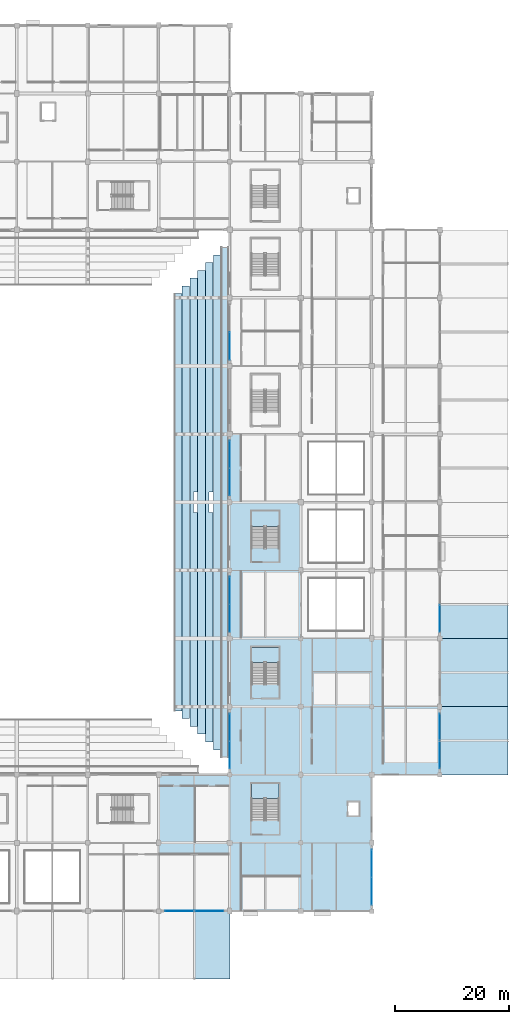
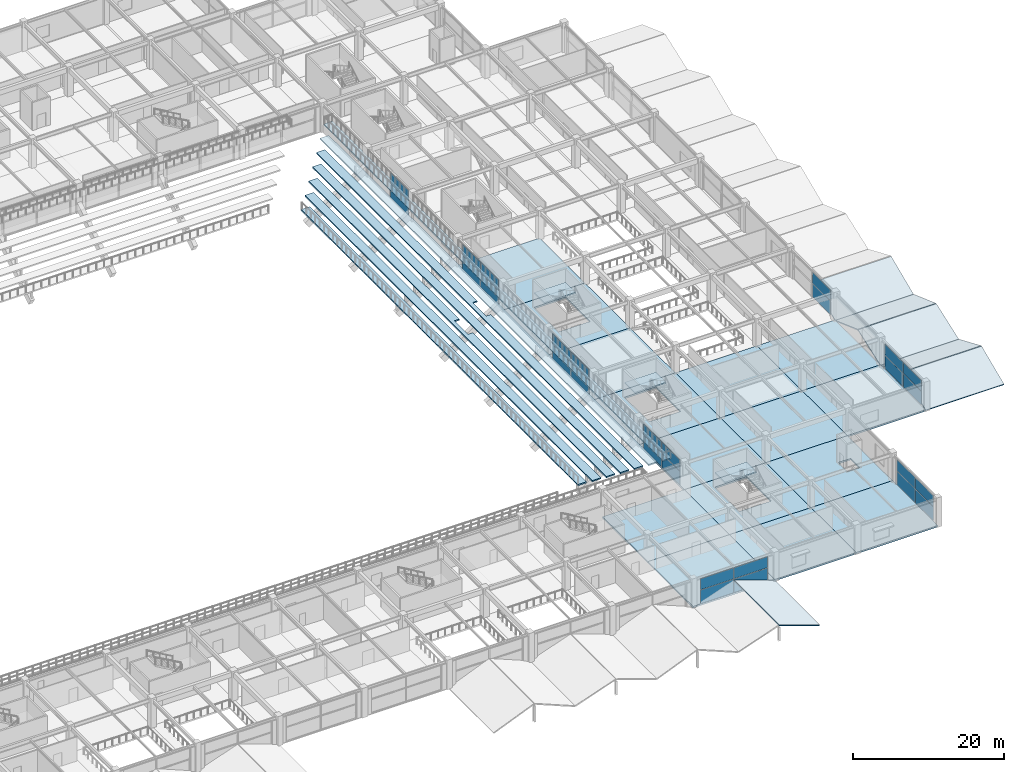
# One storey, part 68 of 134: 31 slabs, 28 plates, 11 elements without a shape of their own.
"""IFC4 building model written with IfcOpenShell, lengths in metres."""

import ifcopenshell
import ifcopenshell.guid

model = None  # the IFC model being written
_history = None  # IfcOwnerHistory: only IFC2X3 demands one
_inside = {}  # id of a spatial element -> (the spatial element, [elements in it])
_under = {}  # id of a project, library or spatial element -> (it, [spatial elements below it])
_declared = {}  # id of a project -> (the project, [libraries it declares])
_typed = {}  # id of a type object -> (the type object, [elements of that type])
_made_of = {}  # id of a material, layer set ... -> (it, [elements and type objects made of it])


def new_model(schema):
    """Start an empty IFC model of exactly this schema.

    Asked for "IFC4X3", IfcOpenShell would pick the latest addendum, in which some entities
    have other attributes; the version numbers below select the first issue.
    IFC2X3 requires an IfcOwnerHistory on every rooted entity: one is made here for all.
    """
    global model, _history
    if schema == "IFC4X3":
        model = ifcopenshell.file(schema_version=(4, 3, 0, 0))
    else:
        model = ifcopenshell.file(schema=schema)
    _inside.clear()
    _under.clear()
    _declared.clear()
    _typed.clear()
    _made_of.clear()
    _history = None
    if model.schema == "IFC2X3":
        org = make("IfcOrganization", Name="unknown")
        user = make(
            "IfcPersonAndOrganization",
            ThePerson=make("IfcPerson", FamilyName="unknown"),
            TheOrganization=org,
        )
        app = make(
            "IfcApplication",
            ApplicationDeveloper=org,
            Version="unknown",
            ApplicationFullName="unknown",
            ApplicationIdentifier="unknown",
        )
        _history = make(
            "IfcOwnerHistory",
            OwningUser=user,
            OwningApplication=app,
            ChangeAction="ADDED",
            CreationDate=0,
        )
    return model


def make(cls, **values):
    """One entity of the class cls with the attributes given. An attribute that is None is left unset."""
    return model.create_entity(
        cls, **{name: value for name, value in values.items() if value is not None}
    )


def rooted(cls, **values):
    """An entity with a GlobalId (a new one), such as an element, a storey or a relation."""
    return make(cls, GlobalId=ifcopenshell.guid.new(), OwnerHistory=_history, **values)


def si_unit(unit_type, name, prefix=None):
    """IfcSIUnit, for example si_unit("LENGTHUNIT", "METRE", prefix="MILLI")."""
    return make("IfcSIUnit", UnitType=unit_type, Prefix=prefix, Name=name)


def assignment(units):
    """IfcUnitAssignment: the units of a project."""
    return None if units is None else make("IfcUnitAssignment", Units=units)


def point(xyz):
    """IfcCartesianPoint."""
    return None if xyz is None else make("IfcCartesianPoint", Coordinates=xyz)


def direction(xyz):
    """IfcDirection."""
    return None if xyz is None else make("IfcDirection", DirectionRatios=xyz)


def frame(location, z_axis=None, x_axis=None):
    """IfcAxis2Placement3D, a coordinate frame: its origin and axes. An axis left out is left unset."""
    return make(
        "IfcAxis2Placement3D",
        Location=point(location),
        Axis=direction(z_axis),
        RefDirection=direction(x_axis),
    )


def frame_2d(location, x_axis=None):
    """IfcAxis2Placement2D, a coordinate frame in the plane: its origin and x axis."""
    return make(
        "IfcAxis2Placement2D", Location=point(location), RefDirection=direction(x_axis)
    )


def origin():
    """The frame at (0, 0, 0) with its axes left unset."""
    return frame((0.0, 0.0, 0.0))


def origin_2d():
    """The frame at (0, 0) in the plane with its x axis left unset."""
    return frame_2d((0.0, 0.0))


def place(relative_to, where):
    """IfcLocalPlacement: puts the frame where relative to a parent placement (None: the world)."""
    return make(
        "IfcLocalPlacement", PlacementRelTo=relative_to, RelativePlacement=where
    )


def context(
    kind, dimensions, precision=None, world=None, true_north=None, identifier=None
):
    """IfcGeometricRepresentationContext, for example the 3D "Model" context."""
    return make(
        "IfcGeometricRepresentationContext",
        ContextIdentifier=identifier,
        ContextType=kind,
        CoordinateSpaceDimension=dimensions,
        Precision=precision,
        WorldCoordinateSystem=world,
        TrueNorth=true_north,
    )


def subcontext(parent, identifier, kind, view, scale=None):
    """IfcGeometricRepresentationSubContext, for example "Body" below "Model"."""
    return make(
        "IfcGeometricRepresentationSubContext",
        ContextIdentifier=identifier,
        ContextType=kind,
        ParentContext=parent,
        TargetScale=scale,
        TargetView=view,
    )


def project(units=None, contexts=None):
    """IfcProject with its units and contexts."""
    return rooted(
        "IfcProject",
        Name="project",
        RepresentationContexts=contexts,
        UnitsInContext=assignment(units),
    )


def spatial(cls, under=None, at=None, **own):
    """A site, building, storey or space (cls), placed at a placement, below another one or the project."""
    s = rooted(cls, ObjectPlacement=at, **own)
    if under is not None:
        _under.setdefault(under.id(), (under, []))[1].append(s)
    return s


def polyline(points):
    """IfcPolyline through the points."""
    return make("IfcPolyline", Points=[point(p) for p in points])


def profile(cls, at=None, kind="AREA", **sizes):
    """A parametric profile (cls). Its sizes go by their IFC names, for example OverallWidth=200.0."""
    return make(cls, ProfileType=kind, Position=at, **sizes)


def rectangle(**sizes):
    """IfcRectangleProfileDef."""
    return profile("IfcRectangleProfileDef", **sizes)


def outline(outer, holes=None, kind="AREA"):
    """IfcArbitraryClosedProfileDef: a profile drawn as a closed curve; with holes, ...WithVoids."""
    if holes is None:
        return make("IfcArbitraryClosedProfileDef", ProfileType=kind, OuterCurve=outer)
    return make(
        "IfcArbitraryProfileDefWithVoids",
        ProfileType=kind,
        OuterCurve=outer,
        InnerCurves=holes,
    )


def extrude(swept, where, along, depth):
    """IfcExtrudedAreaSolid: the profile swept, set in the frame where, extruded along a direction by depth."""
    return make(
        "IfcExtrudedAreaSolid",
        SweptArea=swept,
        Position=where,
        ExtrudedDirection=direction(along),
        Depth=depth,
    )


def shape(context_of_items, identifier, shape_type, items):
    """IfcShapeRepresentation: the items that make up one representation, for example the "Body"."""
    return make(
        "IfcShapeRepresentation",
        ContextOfItems=context_of_items,
        RepresentationIdentifier=identifier,
        RepresentationType=shape_type,
        Items=items,
    )


def material(Name=None, Category=None):
    """IfcMaterial."""
    return make("IfcMaterial", Name=Name, Category=Category)


def layer(
    of_material, thickness, ventilated=None, Name=None, Category=None, Priority=None
):
    """IfcMaterialLayer: one layer of a wall or slab, of a material (None: an air gap)."""
    return make(
        "IfcMaterialLayer",
        Material=of_material,
        LayerThickness=thickness,
        IsVentilated=ventilated,
        Name=Name,
        Category=Category,
        Priority=Priority,
    )


def layer_set(layers, Name=None):
    """IfcMaterialLayerSet."""
    return make("IfcMaterialLayerSet", MaterialLayers=layers, LayerSetName=Name)


def made_of(thing, what):
    """Note that an element or type object is made of a material, layer set ...; save() writes the relation."""
    if what is not None:
        _made_of.setdefault(what.id(), (what, []))[1].append(thing)
    return thing


def type_object(cls, material=None, **own):
    """A type object (cls), such as IfcWallType, which elements share."""
    return made_of(rooted(cls, **own), material)


def element(
    cls,
    number,
    at=None,
    inside=None,
    cuts=None,
    type_object=None,
    material=None,
    context=None,
    identifier="Body",
    shape_type=None,
    held_by="IfcProductDefinitionShape",
    body=None,
    shapes=None,
    **own,
):
    """One element of the class cls, such as IfcWall. Its Tag is "e" and its number.

    at: its placement. inside: the storey or other place that contains it. cuts: it is an
    opening in that element (IfcRelVoidsElement). A single representation is given by context,
    identifier, shape_type and body (its items); several are given by shapes. held_by: the class
    of the entity that holds the representations. save() writes the other relations.
    """
    e = rooted(cls, Tag="e%d" % number, ObjectPlacement=at, **own)
    if body is not None:
        shapes = [shape(context, identifier, shape_type, body)]
    if shapes is not None:
        e.Representation = make(held_by, Representations=shapes)
    if inside is not None:
        _inside.setdefault(inside.id(), (inside, []))[1].append(e)
    if cuts is not None:
        rooted(
            "IfcRelVoidsElement", RelatingBuildingElement=cuts, RelatedOpeningElement=e
        )
    if type_object is not None:
        _typed.setdefault(type_object.id(), (type_object, []))[1].append(e)
    return made_of(e, material)


def aggregate(whole, parts):
    """IfcRelAggregates: a whole, such as a stair, and the parts it consists of."""
    return rooted("IfcRelAggregates", RelatingObject=whole, RelatedObjects=parts)


def save(model, path):
    """Write the relations noted so far, then the file.

    IfcRelAggregates (storeys below a building ...), IfcRelContainedInSpatialStructure (elements
    in a storey), IfcRelDefinesByType, IfcRelAssociatesMaterial and IfcRelDeclares: one each for
    every whole, place, type object, material and project.
    """
    for whole, parts in _under.values():
        aggregate(whole, parts)
    for where, things in _inside.values():
        rooted(
            "IfcRelContainedInSpatialStructure",
            RelatedElements=things,
            RelatingStructure=where,
        )
    for kind, things in _typed.values():
        rooted("IfcRelDefinesByType", RelatedObjects=things, RelatingType=kind)
    for what, things in _made_of.values():
        rooted("IfcRelAssociatesMaterial", RelatedObjects=things, RelatingMaterial=what)
    for by, libraries in _declared.values():
        rooted("IfcRelDeclares", RelatingContext=by, RelatedDefinitions=libraries)
    model.write(path)


model = new_model("IFC4")

# Units and contexts
model_context = context("Model", 3, precision=1e-05, world=origin(), true_north=direction((0.0, 1.0)))
body_context = subcontext(model_context, "Body", "Model", "MODEL_VIEW")
ifc_project = project(units=[si_unit("LENGTHUNIT", "METRE"), si_unit("AREAUNIT", "SQUARE_METRE"), si_unit("VOLUMEUNIT", "CUBIC_METRE"), si_unit("PLANEANGLEUNIT", "RADIAN"), si_unit("MASSUNIT", "GRAM", prefix="KILO")], contexts=[model_context])

# Site, building, storey
site_placement = place(None, origin())
site = spatial("IfcSite", under=ifc_project, at=site_placement, CompositionType="ELEMENT")
building_placement = place(site_placement, origin())
building = spatial("IfcBuilding", under=site, at=building_placement, Name="Kazenohara Klinker Stadium", CompositionType="ELEMENT")
storey_placement = place(building_placement, frame((0.0, 0.0, 5.39990234375)))
storey = spatial("IfcBuildingStorey", under=building, at=storey_placement, Name="L01", CompositionType="ELEMENT", Elevation=5.39990234375)

# Curtain wall, plates
ifc_material_1 = material(Name="Anodised aluminium and triple glazing", Category="aluminium")
ifc_layer_1 = layer(ifc_material_1, 0.159912109375)
ifc_layer_set_1 = layer_set([ifc_layer_1], Name="Anodised aluminium and triple glazing")
curtain_wall_type_1 = type_object("IfcCurtainWallType", Name="CW-SYS-01", PredefinedType="USERDEFINED", material=ifc_layer_set_1)
curtain_wall_1_placement = place(storey_placement, origin())
curtain_wall_1 = element("IfcCurtainWall", 1, at=curtain_wall_1_placement, inside=storey, type_object=curtain_wall_type_1, Name="Unitised facade curtain wall CW01 L01 X13-1", ObjectType="UNITISED CURTAIN WALL", PredefinedType="USERDEFINED")
ifc_material_2 = material(Name="Low-e laminated triple glazing", Category="glass")
ifc_layer_2 = layer(ifc_material_2, 0.035888671875)
ifc_layer_set_2 = layer_set([ifc_layer_2], Name="Low-e laminated triple glazing")
plate_type_1 = type_object("IfcPlateType", Name="CW-PNL-36", PredefinedType="CURTAIN_PANEL", material=ifc_layer_set_2)
plate_1_placement = place(storey_placement, frame((166.168212890625, 12.0, 0.065185546875), z_axis=(0.0, 0.0, 1.0), x_axis=(1.0, 0.0, 0.0)))
plate_1 = element("IfcPlate", 2, at=plate_1_placement, type_object=plate_type_1, Name="CW01 panel 1.1", PredefinedType="CURTAIN_PANEL", context=body_context, shape_type="SweptSolid", body=[
    extrude(rectangle(XDim=5.098388671875, YDim=0.035888671875, at=origin_2d()), origin(), (0.0, 0.0, 1.0), 2.18505859375),
])
plate_2_placement = place(storey_placement, frame((166.168212890625, 12.0, 2.315185546875), z_axis=(0.0, 0.0, 1.0), x_axis=(1.0, 0.0, 0.0)))
plate_2 = element("IfcPlate", 3, at=plate_2_placement, type_object=plate_type_1, Name="CW01 panel 1.2", PredefinedType="CURTAIN_PANEL", context=body_context, shape_type="SweptSolid", body=[
    extrude(rectangle(XDim=5.098388671875, YDim=0.035888671875, at=origin_2d()), origin(), (0.0, 0.0, 1.0), 1.77001953125),
])
plate_3_placement = place(storey_placement, frame((171.331787109375, 12.0, 0.065185546875), z_axis=(0.0, 0.0, 1.0), x_axis=(1.0, 0.0, 0.0)))
plate_3 = element("IfcPlate", 4, at=plate_3_placement, type_object=plate_type_1, Name="CW01 panel 2.1", PredefinedType="CURTAIN_PANEL", context=body_context, shape_type="SweptSolid", body=[
    extrude(rectangle(XDim=5.098388671875, YDim=0.035888671875, at=origin_2d()), origin(), (0.0, 0.0, 1.0), 2.18505859375),
])
plate_4_placement = place(storey_placement, frame((171.331787109375, 12.0, 2.315185546875), z_axis=(0.0, 0.0, 1.0), x_axis=(1.0, 0.0, 0.0)))
plate_4 = element("IfcPlate", 5, at=plate_4_placement, type_object=plate_type_1, Name="CW01 panel 2.2", PredefinedType="CURTAIN_PANEL", context=body_context, shape_type="SweptSolid", body=[
    extrude(rectangle(XDim=5.098388671875, YDim=0.035888671875, at=origin_2d()), origin(), (0.0, 0.0, 1.0), 1.77001953125),
])
aggregate(curtain_wall_1, [plate_1, plate_2, plate_3, plate_4])

ifc_layer_3 = layer(ifc_material_1, 0.18994140625)
ifc_layer_set_3 = layer_set([ifc_layer_3], Name="Anodised aluminium and triple glazing")
curtain_wall_type_2 = type_object("IfcCurtainWallType", Name="CW-SYS-05", PredefinedType="USERDEFINED", material=ifc_layer_set_3)
curtain_wall_2_placement = place(storey_placement, origin())
curtain_wall_2 = element("IfcCurtainWall", 6, at=curtain_wall_2_placement, inside=storey, type_object=curtain_wall_type_2, Name="Unitised facade curtain wall CW05 L01 Y14-5", ObjectType="UNITISED CURTAIN WALL", PredefinedType="USERDEFINED")
plate_5_placement = place(storey_placement, frame((175.0, 63.580810546875, 0.065185546875), z_axis=(0.0, 0.0, 1.0), x_axis=(0.0, 1.0, 0.0)))
plate_5 = element("IfcPlate", 7, at=plate_5_placement, type_object=plate_type_1, Name="CW05 panel 1.1", PredefinedType="CURTAIN_PANEL", context=body_context, shape_type="SweptSolid", body=[
    extrude(rectangle(XDim=4.823486328125, YDim=0.035888671875, at=origin_2d()), origin(), (0.0, 0.0, 1.0), 2.21240234375),
])
plate_6_placement = place(storey_placement, frame((175.0, 63.580810546875, 2.342529296875), z_axis=(0.0, 0.0, 1.0), x_axis=(0.0, 1.0, 0.0)))
plate_6 = element("IfcPlate", 8, at=plate_6_placement, type_object=plate_type_1, Name="CW05 panel 1.2", PredefinedType="CURTAIN_PANEL", context=body_context, shape_type="SweptSolid", body=[
    extrude(rectangle(XDim=4.823486328125, YDim=0.035888671875, at=origin_2d()), origin(), (0.0, 0.0, 1.0), 1.79248046875),
])
plate_7_placement = place(storey_placement, frame((175.0, 68.46923828125, 0.065185546875), z_axis=(0.0, 0.0, 1.0), x_axis=(0.0, 1.0, 0.0)))
plate_7 = element("IfcPlate", 9, at=plate_7_placement, type_object=plate_type_1, Name="CW05 panel 2.1", PredefinedType="CURTAIN_PANEL", context=body_context, shape_type="SweptSolid", body=[
    extrude(rectangle(XDim=4.823486328125, YDim=0.035888671875, at=origin_2d()), origin(), (0.0, 0.0, 1.0), 2.21240234375),
])
plate_8_placement = place(storey_placement, frame((175.0, 68.46923828125, 2.342529296875), z_axis=(0.0, 0.0, 1.0), x_axis=(0.0, 1.0, 0.0)))
plate_8 = element("IfcPlate", 10, at=plate_8_placement, type_object=plate_type_1, Name="CW05 panel 2.2", PredefinedType="CURTAIN_PANEL", context=body_context, shape_type="SweptSolid", body=[
    extrude(rectangle(XDim=4.823486328125, YDim=0.035888671875, at=origin_2d()), origin(), (0.0, 0.0, 1.0), 1.79248046875),
])
aggregate(curtain_wall_2, [plate_5, plate_6, plate_7, plate_8])

ifc_layer_4 = layer(ifc_material_1, 0.179931640625)
ifc_layer_set_4 = layer_set([ifc_layer_4], Name="Anodised aluminium and triple glazing")
curtain_wall_type_3 = type_object("IfcCurtainWallType", Name="CW-SYS-02", PredefinedType="USERDEFINED", material=ifc_layer_set_4)
curtain_wall_3_placement = place(storey_placement, origin())
curtain_wall_3 = element("IfcCurtainWall", 11, at=curtain_wall_3_placement, inside=storey, type_object=curtain_wall_type_3, Name="Unitised facade curtain wall CW02 L01 Y14-9", ObjectType="UNITISED CURTAIN WALL", PredefinedType="USERDEFINED")
plate_9_placement = place(storey_placement, frame((175.0, 111.518310546875, 0.065185546875), z_axis=(0.0, 0.0, 1.0), x_axis=(0.0, 1.0, 0.0)))
plate_9 = element("IfcPlate", 12, at=plate_9_placement, type_object=plate_type_1, Name="CW02 panel 1.1", PredefinedType="CURTAIN_PANEL", context=body_context, shape_type="SweptSolid", body=[
    extrude(rectangle(XDim=4.798583984375, YDim=0.035888671875, at=origin_2d()), origin(), (0.0, 0.0, 1.0), 2.21240234375),
])
plate_10_placement = place(storey_placement, frame((175.0, 111.518310546875, 2.342529296875), z_axis=(0.0, 0.0, 1.0), x_axis=(0.0, 1.0, 0.0)))
plate_10 = element("IfcPlate", 13, at=plate_10_placement, type_object=plate_type_1, Name="CW02 panel 1.2", PredefinedType="CURTAIN_PANEL", context=body_context, shape_type="SweptSolid", body=[
    extrude(rectangle(XDim=4.798583984375, YDim=0.035888671875, at=origin_2d()), origin(), (0.0, 0.0, 1.0), 1.79248046875),
])
aggregate(curtain_wall_3, [plate_9, plate_10])

ifc_layer_5 = layer(ifc_material_1, 0.169921875)
ifc_layer_set_5 = layer_set([ifc_layer_5], Name="Anodised aluminium and triple glazing")
curtain_wall_type_4 = type_object("IfcCurtainWallType", Name="CW-SYS-04", PredefinedType="USERDEFINED", material=ifc_layer_set_5)
curtain_wall_4_placement = place(storey_placement, origin())
curtain_wall_4 = element("IfcCurtainWall", 14, at=curtain_wall_4_placement, inside=storey, type_object=curtain_wall_type_4, Name="Unitised facade curtain wall CW04 L01 Y16-1", ObjectType="UNITISED CURTAIN WALL", PredefinedType="USERDEFINED")
plate_11_placement = place(storey_placement, frame((200.0, 15.518310546875, 0.065185546875), z_axis=(0.0, 0.0, 1.0), x_axis=(0.0, 1.0, 0.0)))
plate_11 = element("IfcPlate", 15, at=plate_11_placement, type_object=plate_type_1, Name="CW04 panel 1.1", PredefinedType="CURTAIN_PANEL", context=body_context, shape_type="SweptSolid", body=[
    extrude(rectangle(XDim=4.798583984375, YDim=0.035888671875, at=origin_2d()), origin(), (0.0, 0.0, 1.0), 2.21240234375),
])
plate_12_placement = place(storey_placement, frame((200.0, 15.518310546875, 2.342529296875), z_axis=(0.0, 0.0, 1.0), x_axis=(0.0, 1.0, 0.0)))
plate_12 = element("IfcPlate", 16, at=plate_12_placement, type_object=plate_type_1, Name="CW04 panel 1.2", PredefinedType="CURTAIN_PANEL", context=body_context, shape_type="SweptSolid", body=[
    extrude(rectangle(XDim=4.798583984375, YDim=0.035888671875, at=origin_2d()), origin(), (0.0, 0.0, 1.0), 1.79248046875),
])
plate_13_placement = place(storey_placement, frame((200.0, 20.3818359375, 0.065185546875), z_axis=(0.0, 0.0, 1.0), x_axis=(0.0, 1.0, 0.0)))
plate_13 = element("IfcPlate", 17, at=plate_13_placement, type_object=plate_type_1, Name="CW04 panel 2.1", PredefinedType="CURTAIN_PANEL", context=body_context, shape_type="SweptSolid", body=[
    extrude(rectangle(XDim=4.798583984375, YDim=0.035888671875, at=origin_2d()), origin(), (0.0, 0.0, 1.0), 2.21240234375),
])
plate_14_placement = place(storey_placement, frame((200.0, 20.3818359375, 2.342529296875), z_axis=(0.0, 0.0, 1.0), x_axis=(0.0, 1.0, 0.0)))
plate_14 = element("IfcPlate", 18, at=plate_14_placement, type_object=plate_type_1, Name="CW04 panel 2.2", PredefinedType="CURTAIN_PANEL", context=body_context, shape_type="SweptSolid", body=[
    extrude(rectangle(XDim=4.798583984375, YDim=0.035888671875, at=origin_2d()), origin(), (0.0, 0.0, 1.0), 1.79248046875),
])
aggregate(curtain_wall_4, [plate_11, plate_12, plate_13, plate_14])

ifc_layer_6 = layer(ifc_material_1, 0.199951171875)
ifc_layer_set_6 = layer_set([ifc_layer_6], Name="Anodised aluminium and triple glazing")
curtain_wall_type_5 = type_object("IfcCurtainWallType", Name="CW-SYS-03", PredefinedType="USERDEFINED", material=ifc_layer_set_6)
curtain_wall_5_placement = place(storey_placement, origin())
curtain_wall_5 = element("IfcCurtainWall", 19, at=curtain_wall_5_placement, inside=storey, type_object=curtain_wall_type_5, Name="Unitised facade curtain wall CW03 L01 Y17-5", ObjectType="UNITISED CURTAIN WALL", PredefinedType="USERDEFINED")
plate_15_placement = place(storey_placement, frame((212.0, 63.580810546875, 0.065185546875), z_axis=(0.0, 0.0, 1.0), x_axis=(0.0, 1.0, 0.0)))
plate_15 = element("IfcPlate", 20, at=plate_15_placement, type_object=plate_type_1, Name="CW03 panel 1.1", PredefinedType="CURTAIN_PANEL", context=body_context, shape_type="SweptSolid", body=[
    extrude(rectangle(XDim=4.823486328125, YDim=0.035888671875, at=origin_2d()), origin(), (0.0, 0.0, 1.0), 2.18505859375),
])
plate_16_placement = place(storey_placement, frame((212.0, 63.580810546875, 2.315185546875), z_axis=(0.0, 0.0, 1.0), x_axis=(0.0, 1.0, 0.0)))
plate_16 = element("IfcPlate", 21, at=plate_16_placement, type_object=plate_type_1, Name="CW03 panel 1.2", PredefinedType="CURTAIN_PANEL", context=body_context, shape_type="SweptSolid", body=[
    extrude(rectangle(XDim=4.823486328125, YDim=0.035888671875, at=origin_2d()), origin(), (0.0, 0.0, 1.0), 1.77001953125),
])
aggregate(curtain_wall_5, [plate_15, plate_16])

curtain_wall_6_placement = place(storey_placement, origin())
curtain_wall_6 = element("IfcCurtainWall", 22, at=curtain_wall_6_placement, inside=storey, type_object=curtain_wall_type_4, Name="Unitised facade curtain wall CW04 L01 Y14-3", ObjectType="UNITISED CURTAIN WALL", PredefinedType="USERDEFINED")
ifc_layer_7 = layer(ifc_material_2, 0.0439453125)
ifc_layer_set_7 = layer_set([ifc_layer_7], Name="Low-e laminated triple glazing")
plate_type_2 = type_object("IfcPlateType", Name="CW-PNL-44", PredefinedType="CURTAIN_PANEL", material=ifc_layer_set_7)
plate_17_placement = place(storey_placement, frame((175.0, 39.520751953125, 0.0751953125), z_axis=(0.0, 0.0, 1.0), x_axis=(0.0, 1.0, 0.0)))
plate_17 = element("IfcPlate", 23, at=plate_17_placement, type_object=plate_type_2, Name="CW04 panel 1.1", PredefinedType="CURTAIN_PANEL", context=body_context, shape_type="SweptSolid", body=[
    extrude(rectangle(XDim=4.783447265625, YDim=0.0439453125, at=origin_2d()), origin(), (0.0, 0.0, 1.0), 2.197509765625),
])
plate_18_placement = place(storey_placement, frame((175.0, 39.520751953125, 2.34765625), z_axis=(0.0, 0.0, 1.0), x_axis=(0.0, 1.0, 0.0)))
plate_18 = element("IfcPlate", 24, at=plate_18_placement, type_object=plate_type_2, Name="CW04 panel 1.2", PredefinedType="CURTAIN_PANEL", context=body_context, shape_type="SweptSolid", body=[
    extrude(rectangle(XDim=4.783447265625, YDim=0.0439453125, at=origin_2d()), origin(), (0.0, 0.0, 1.0), 1.777587890625),
])
plate_19_placement = place(storey_placement, frame((175.0, 44.379150390625, 0.0751953125), z_axis=(0.0, 0.0, 1.0), x_axis=(0.0, 1.0, 0.0)))
plate_19 = element("IfcPlate", 25, at=plate_19_placement, type_object=plate_type_2, Name="CW04 panel 2.1", PredefinedType="CURTAIN_PANEL", context=body_context, shape_type="SweptSolid", body=[
    extrude(rectangle(XDim=4.783447265625, YDim=0.0439453125, at=origin_2d()), origin(), (0.0, 0.0, 1.0), 2.197509765625),
])
plate_20_placement = place(storey_placement, frame((175.0, 44.379150390625, 2.34765625), z_axis=(0.0, 0.0, 1.0), x_axis=(0.0, 1.0, 0.0)))
plate_20 = element("IfcPlate", 26, at=plate_20_placement, type_object=plate_type_2, Name="CW04 panel 2.2", PredefinedType="CURTAIN_PANEL", context=body_context, shape_type="SweptSolid", body=[
    extrude(rectangle(XDim=4.783447265625, YDim=0.0439453125, at=origin_2d()), origin(), (0.0, 0.0, 1.0), 1.777587890625),
])
aggregate(curtain_wall_6, [plate_17, plate_18, plate_19, plate_20])

curtain_wall_7_placement = place(storey_placement, origin())
curtain_wall_7 = element("IfcCurtainWall", 27, at=curtain_wall_7_placement, inside=storey, type_object=curtain_wall_type_1, Name="Unitised facade curtain wall CW01 L01 Y14-7", ObjectType="UNITISED CURTAIN WALL", PredefinedType="USERDEFINED")
plate_21_placement = place(storey_placement, frame((175.0, 87.608154296875, 0.0751953125), z_axis=(0.0, 0.0, 1.0), x_axis=(0.0, 1.0, 0.0)))
plate_21 = element("IfcPlate", 28, at=plate_21_placement, type_object=plate_type_2, Name="CW01 panel 1.1", PredefinedType="CURTAIN_PANEL", context=body_context, shape_type="SweptSolid", body=[
    extrude(rectangle(XDim=4.758544921875, YDim=0.0439453125, at=origin_2d()), origin(), (0.0, 0.0, 1.0), 2.197509765625),
])
plate_22_placement = place(storey_placement, frame((175.0, 87.608154296875, 2.34765625), z_axis=(0.0, 0.0, 1.0), x_axis=(0.0, 1.0, 0.0)))
plate_22 = element("IfcPlate", 29, at=plate_22_placement, type_object=plate_type_2, Name="CW01 panel 1.2", PredefinedType="CURTAIN_PANEL", context=body_context, shape_type="SweptSolid", body=[
    extrude(rectangle(XDim=4.758544921875, YDim=0.0439453125, at=origin_2d()), origin(), (0.0, 0.0, 1.0), 1.777587890625),
])
plate_23_placement = place(storey_placement, frame((175.0, 92.441650390625, 0.0751953125), z_axis=(0.0, 0.0, 1.0), x_axis=(0.0, 1.0, 0.0)))
plate_23 = element("IfcPlate", 30, at=plate_23_placement, type_object=plate_type_2, Name="CW01 panel 2.1", PredefinedType="CURTAIN_PANEL", context=body_context, shape_type="SweptSolid", body=[
    extrude(rectangle(XDim=4.758544921875, YDim=0.0439453125, at=origin_2d()), origin(), (0.0, 0.0, 1.0), 2.197509765625),
])
plate_24_placement = place(storey_placement, frame((175.0, 92.441650390625, 2.34765625), z_axis=(0.0, 0.0, 1.0), x_axis=(0.0, 1.0, 0.0)))
plate_24 = element("IfcPlate", 31, at=plate_24_placement, type_object=plate_type_2, Name="CW01 panel 2.2", PredefinedType="CURTAIN_PANEL", context=body_context, shape_type="SweptSolid", body=[
    extrude(rectangle(XDim=4.758544921875, YDim=0.0439453125, at=origin_2d()), origin(), (0.0, 0.0, 1.0), 1.777587890625),
])
aggregate(curtain_wall_7, [plate_21, plate_22, plate_23, plate_24])

curtain_wall_8_placement = place(storey_placement, origin())
curtain_wall_8 = element("IfcCurtainWall", 32, at=curtain_wall_8_placement, inside=storey, type_object=curtain_wall_type_3, Name="Unitised facade curtain wall CW02 L01 Y17-3", ObjectType="UNITISED CURTAIN WALL", PredefinedType="USERDEFINED")
plate_25_placement = place(storey_placement, frame((212.0, 39.520751953125, 0.0751953125), z_axis=(0.0, 0.0, 1.0), x_axis=(0.0, 1.0, 0.0)))
plate_25 = element("IfcPlate", 33, at=plate_25_placement, type_object=plate_type_2, Name="CW02 panel 1.1", PredefinedType="CURTAIN_PANEL", context=body_context, shape_type="SweptSolid", body=[
    extrude(rectangle(XDim=4.783447265625, YDim=0.0439453125, at=origin_2d()), origin(), (0.0, 0.0, 1.0), 2.169921875),
])
plate_26_placement = place(storey_placement, frame((212.0, 39.520751953125, 2.320068359375), z_axis=(0.0, 0.0, 1.0), x_axis=(0.0, 1.0, 0.0)))
plate_26 = element("IfcPlate", 34, at=plate_26_placement, type_object=plate_type_2, Name="CW02 panel 1.2", PredefinedType="CURTAIN_PANEL", context=body_context, shape_type="SweptSolid", body=[
    extrude(rectangle(XDim=4.783447265625, YDim=0.0439453125, at=origin_2d()), origin(), (0.0, 0.0, 1.0), 1.7548828125),
])
plate_27_placement = place(storey_placement, frame((212.0, 44.379150390625, 0.0751953125), z_axis=(0.0, 0.0, 1.0), x_axis=(0.0, 1.0, 0.0)))
plate_27 = element("IfcPlate", 35, at=plate_27_placement, type_object=plate_type_2, Name="CW02 panel 2.1", PredefinedType="CURTAIN_PANEL", context=body_context, shape_type="SweptSolid", body=[
    extrude(rectangle(XDim=4.783447265625, YDim=0.0439453125, at=origin_2d()), origin(), (0.0, 0.0, 1.0), 2.169921875),
])
plate_28_placement = place(storey_placement, frame((212.0, 44.379150390625, 2.320068359375), z_axis=(0.0, 0.0, 1.0), x_axis=(0.0, 1.0, 0.0)))
plate_28 = element("IfcPlate", 36, at=plate_28_placement, type_object=plate_type_2, Name="CW02 panel 2.2", PredefinedType="CURTAIN_PANEL", context=body_context, shape_type="SweptSolid", body=[
    extrude(rectangle(XDim=4.783447265625, YDim=0.0439453125, at=origin_2d()), origin(), (0.0, 0.0, 1.0), 1.7548828125),
])
aggregate(curtain_wall_8, [plate_25, plate_26, plate_27, plate_28])

# Slabs
ifc_material_3 = material(Name="Concrete C40/50", Category="concrete")
ifc_layer_8 = layer(ifc_material_3, 0.260009765625)
ifc_layer_set_8 = layer_set([ifc_layer_8], Name="Concrete C40/50")
slab_type_1 = type_object("IfcSlabType", Name="SLB-FLR-260", PredefinedType="FLOOR", material=ifc_layer_set_8)
slab_1_placement = place(storey_placement, frame((0.0, 0.0, -0.260009765625)))
element("IfcSlab", 37, at=slab_1_placement, inside=storey, type_object=slab_type_1, Name="Floor slab FS02 L01 14/B", PredefinedType="FLOOR", context=body_context, shape_type="SweptSolid", body=[
    extrude(outline(polyline([(162.5, 12.0), (175.0, 12.0), (175.0, 24.0), (162.5, 24.0), (162.5, 12.0)])), origin(), (0.0, 0.0, 1.0), 0.260009765625),
])
slab_2_placement = place(storey_placement, frame((0.0, 0.0, -0.260009765625)))
element("IfcSlab", 38, at=slab_2_placement, inside=storey, type_object=slab_type_1, Name="Floor slab FS02 L01 14/C", PredefinedType="FLOOR", context=body_context, shape_type="SweptSolid", body=[
    extrude(outline(polyline([(162.5, 24.0), (175.0, 24.0), (175.0, 36.0), (162.5, 36.0), (162.5, 24.0)])), origin(), (0.0, 0.0, 1.0), 0.260009765625),
])
slab_3_placement = place(storey_placement, frame((0.0, 0.0, -0.260009765625)))
element("IfcSlab", 39, at=slab_3_placement, inside=storey, type_object=slab_type_1, Name="Floor slab FS02 L01 15/B", PredefinedType="FLOOR", context=body_context, shape_type="SweptSolid", body=[
    extrude(outline(polyline([(175.0, 12.0), (187.5, 12.0), (187.5, 24.0), (175.0, 24.0), (175.0, 12.0)])), origin(), (0.0, 0.0, 1.0), 0.260009765625),
])
slab_4_placement = place(storey_placement, frame((0.0, 0.0, -0.260009765625)))
element("IfcSlab", 40, at=slab_4_placement, inside=storey, type_object=slab_type_1, Name="Floor slab FS02 L01 15/C", PredefinedType="FLOOR", context=body_context, shape_type="SweptSolid", body=[
    extrude(outline(polyline([(175.0, 24.0), (187.5, 24.0), (187.5, 36.0), (175.0, 36.0), (175.0, 24.0)]), holes=[polyline([(183.68994140625, 27.9599609375), (183.68994140625, 34.4599609375), (178.81005859375, 34.4599609375), (178.81005859375, 27.9599609375), (183.68994140625, 27.9599609375)])]), origin(), (0.0, 0.0, 1.0), 0.260009765625),
])
slab_5_placement = place(storey_placement, frame((0.0, 0.0, -0.260009765625)))
element("IfcSlab", 41, at=slab_5_placement, inside=storey, type_object=slab_type_1, Name="Floor slab FS02 L01 15/D", PredefinedType="FLOOR", context=body_context, shape_type="SweptSolid", body=[
    extrude(outline(polyline([(175.0, 36.0), (187.5, 36.0), (187.5, 48.0), (175.0, 48.0), (175.0, 36.0)])), origin(), (0.0, 0.0, 1.0), 0.260009765625),
])
slab_6_placement = place(storey_placement, frame((0.0, 0.0, -0.260009765625)))
element("IfcSlab", 42, at=slab_6_placement, inside=storey, type_object=slab_type_1, Name="Floor slab FS02 L01 15/E", PredefinedType="FLOOR", context=body_context, shape_type="SweptSolid", body=[
    extrude(outline(polyline([(175.0, 48.0), (187.5, 48.0), (187.5, 60.0), (175.0, 60.0), (175.0, 48.0)]), holes=[polyline([(183.64990234375, 51.919921875), (183.64990234375, 58.4599609375), (178.85009765625, 58.4599609375), (178.85009765625, 51.919921875), (183.64990234375, 51.919921875)])]), origin(), (0.0, 0.0, 1.0), 0.260009765625),
])
slab_7_placement = place(storey_placement, frame((0.0, 0.0, -0.260009765625)))
element("IfcSlab", 43, at=slab_7_placement, inside=storey, type_object=slab_type_1, Name="Floor slab FS02 L01 15/F", PredefinedType="FLOOR", context=body_context, shape_type="SweptSolid", body=[
    extrude(outline(polyline([(175.0, 60.0), (187.5, 60.0), (187.5, 72.0), (175.0, 72.0), (175.0, 60.0)])), origin(), (0.0, 0.0, 1.0), 0.260009765625),
])
slab_8_placement = place(storey_placement, frame((0.0, 0.0, -0.260009765625)))
element("IfcSlab", 44, at=slab_8_placement, inside=storey, type_object=slab_type_1, Name="Floor slab FS02 L01 15/G", PredefinedType="FLOOR", context=body_context, shape_type="SweptSolid", body=[
    extrude(outline(polyline([(175.0, 72.0), (187.5, 72.0), (187.5, 84.0), (175.0, 84.0), (175.0, 72.0)]), holes=[polyline([(183.659912109375, 75.929931640625), (183.659912109375, 82.4599609375), (178.840087890625, 82.4599609375), (178.840087890625, 75.929931640625), (183.659912109375, 75.929931640625)])]), origin(), (0.0, 0.0, 1.0), 0.260009765625),
])
slab_9_placement = place(storey_placement, frame((0.0, 0.0, -0.260009765625)))
element("IfcSlab", 45, at=slab_9_placement, inside=storey, type_object=slab_type_1, Name="Floor slab FS02 L01 15/H", PredefinedType="FLOOR", context=body_context, shape_type="SweptSolid", body=[
    extrude(outline(polyline([(175.0, 84.0), (187.5, 84.0), (187.5, 96.0), (175.0, 96.0), (175.0, 84.0)])), origin(), (0.0, 0.0, 1.0), 0.260009765625),
])
slab_10_placement = place(storey_placement, frame((0.0, 0.0, -0.260009765625)))
element("IfcSlab", 46, at=slab_10_placement, inside=storey, type_object=slab_type_1, Name="Floor slab FS02 L01 16/B", PredefinedType="FLOOR", context=body_context, shape_type="SweptSolid", body=[
    extrude(outline(polyline([(187.5, 12.0), (200.0, 12.0), (200.0, 24.0), (187.5, 24.0), (187.5, 12.0)])), origin(), (0.0, 0.0, 1.0), 0.260009765625),
])
slab_11_placement = place(storey_placement, frame((0.0, 0.0, -0.260009765625)))
element("IfcSlab", 47, at=slab_11_placement, inside=storey, type_object=slab_type_1, Name="Floor slab FS02 L01 16/C", PredefinedType="FLOOR", context=body_context, shape_type="SweptSolid", body=[
    extrude(outline(polyline([(187.5, 24.0), (200.0, 24.0), (200.0, 36.0), (187.5, 36.0), (187.5, 24.0)]), holes=[polyline([(195.85009765625, 28.800048828125), (197.75, 28.800048828125), (197.75, 31.199951171875), (195.85009765625, 31.199951171875), (195.85009765625, 28.800048828125)])]), origin(), (0.0, 0.0, 1.0), 0.260009765625),
])
slab_12_placement = place(storey_placement, frame((0.0, 0.0, -0.260009765625)))
element("IfcSlab", 48, at=slab_12_placement, inside=storey, type_object=slab_type_1, Name="Floor slab FS02 L01 16/D", PredefinedType="FLOOR", context=body_context, shape_type="SweptSolid", body=[
    extrude(outline(polyline([(187.5, 36.0), (200.0, 36.0), (200.0, 48.0), (187.5, 48.0), (187.5, 36.0)])), origin(), (0.0, 0.0, 1.0), 0.260009765625),
])
slab_13_placement = place(storey_placement, frame((0.0, 0.0, -0.260009765625)))
element("IfcSlab", 49, at=slab_13_placement, inside=storey, type_object=slab_type_1, Name="Floor slab FS02 L01 16/E", PredefinedType="FLOOR", context=body_context, shape_type="SweptSolid", body=[
    extrude(outline(polyline([(187.5, 48.0), (200.0, 48.0), (200.0, 60.0), (187.5, 60.0), (187.5, 48.0)])), origin(), (0.0, 0.0, 1.0), 0.260009765625),
])
slab_14_placement = place(storey_placement, frame((0.0, 0.0, -0.260009765625)))
element("IfcSlab", 50, at=slab_14_placement, inside=storey, type_object=slab_type_1, Name="Floor slab FS02 L01 17/D", PredefinedType="FLOOR", context=body_context, shape_type="SweptSolid", body=[
    extrude(outline(polyline([(200.0, 36.0), (212.0, 36.0), (212.0, 48.0), (200.0, 48.0), (200.0, 36.0)])), origin(), (0.0, 0.0, 1.0), 0.260009765625),
])
slab_15_placement = place(storey_placement, frame((0.0, 0.0, -0.260009765625)))
element("IfcSlab", 51, at=slab_15_placement, inside=storey, type_object=slab_type_1, Name="Floor slab FS02 L01 17/E", PredefinedType="FLOOR", context=body_context, shape_type="SweptSolid", body=[
    extrude(outline(polyline([(200.0, 48.0), (212.0, 48.0), (212.0, 60.0), (200.0, 60.0), (200.0, 48.0)])), origin(), (0.0, 0.0, 1.0), 0.260009765625),
])

# Stair, slab
stair_type_1 = type_object("IfcStairType", Name="STR-DL-2340", PredefinedType="HALF_TURN_STAIR", material=ifc_material_3)
stair_1_placement = place(storey_placement, origin())
stair_1 = element("IfcStair", 52, at=stair_1_placement, inside=storey, type_object=stair_type_1, Name="L01 Enclosed escape stair ST16", PredefinedType="HALF_TURN_STAIR")
ifc_layer_9 = layer(ifc_material_3, 0.199951171875)
ifc_layer_set_9 = layer_set([ifc_layer_9], Name="Concrete C40/50")
slab_type_2 = type_object("IfcSlabType", Name="SLB-LND-200", PredefinedType="LANDING", material=ifc_layer_set_9)
slab_16_placement = place(storey_placement, frame((0.0, 0.0, 2.2001953125)))
slab_16 = element("IfcSlab", 53, at=slab_16_placement, type_object=slab_type_2, Name="ST16 landing 1", PredefinedType="LANDING", context=body_context, shape_type="SweptSolid", body=[
    extrude(outline(polyline([(183.68994140625, 31.800048828125), (183.68994140625, 34.4599609375), (178.81005859375, 34.4599609375), (178.81005859375, 31.800048828125), (183.68994140625, 31.800048828125)])), origin(), (0.0, 0.0, 1.0), 0.199951171875),
])
aggregate(stair_1, [slab_16])

stair_type_2 = type_object("IfcStairType", Name="STR-DL-2300", PredefinedType="HALF_TURN_STAIR", material=ifc_material_3)
stair_2_placement = place(storey_placement, origin())
stair_2 = element("IfcStair", 54, at=stair_2_placement, inside=storey, type_object=stair_type_2, Name="L01 Enclosed escape stair ST21", PredefinedType="HALF_TURN_STAIR")
slab_17_placement = place(storey_placement, frame((0.0, 0.0, 2.2001953125)))
slab_17 = element("IfcSlab", 55, at=slab_17_placement, type_object=slab_type_2, Name="ST21 landing 1", PredefinedType="LANDING", context=body_context, shape_type="SweptSolid", body=[
    extrude(outline(polyline([(183.64990234375, 55.760009765625), (183.64990234375, 58.4599609375), (178.85009765625, 58.4599609375), (178.85009765625, 55.760009765625), (183.64990234375, 55.760009765625)])), origin(), (0.0, 0.0, 1.0), 0.199951171875),
])
aggregate(stair_2, [slab_17])

stair_type_3 = type_object("IfcStairType", Name="STR-DL-2310", PredefinedType="HALF_TURN_STAIR", material=ifc_material_3)
stair_3_placement = place(storey_placement, origin())
stair_3 = element("IfcStair", 56, at=stair_3_placement, inside=storey, type_object=stair_type_3, Name="L01 Enclosed escape stair ST22", PredefinedType="HALF_TURN_STAIR")
slab_18_placement = place(storey_placement, frame((0.0, 0.0, 2.2001953125)))
slab_18 = element("IfcSlab", 57, at=slab_18_placement, type_object=slab_type_2, Name="ST22 landing 1", PredefinedType="LANDING", context=body_context, shape_type="SweptSolid", body=[
    extrude(outline(polyline([(183.659912109375, 79.77001953125), (183.659912109375, 82.4599609375), (178.840087890625, 82.4599609375), (178.840087890625, 79.77001953125), (183.659912109375, 79.77001953125)])), origin(), (0.0, 0.0, 1.0), 0.199951171875),
])
aggregate(stair_3, [slab_18])

# Slabs
ifc_material_4 = material(Name="Steel S355", Category="steel")
ifc_layer_10 = layer(ifc_material_4, 0.169921875)
ifc_layer_set_10 = layer_set([ifc_layer_10], Name="Steel S355")
slab_type_3 = type_object("IfcSlabType", Name="SLB-ROOF-170", PredefinedType="ROOF", material=ifc_layer_set_10)
slab_19_placement = place(storey_placement, frame((168.800048828125, 0.0, 2.070068359375), z_axis=(0.327622925614, 0.0, 0.944808561886), x_axis=(0.944808561886, 0.0, -0.327622925614)))
element("IfcSlab", 58, at=slab_19_placement, inside=storey, type_object=slab_type_3, Name="Sloped snow-shedding wing roof RS02 L01 14/A B", PredefinedType="ROOF", context=body_context, shape_type="SweptSolid", body=[
    extrude(outline(polyline([(0.0, 0.0), (6.5621242461032345, 0.0), (6.5621242461032345, 12.0), (0.0, 12.0), (0.0, 0.0)])), origin(), (0.0, 0.0, -1.0), 0.169921875),
])
for number, where, z_axis, x_axis, name in (
    (59, (212.0, 36.0, -0.079833984375), (0.0, -0.39392840207, 0.919141128469), (1.0, 0.0, 0.0), "Sloped snow-shedding wing roof RS02 L01 18/D A"),
    (60, (212.0, 42.050048828125, 2.47021484375), (0.0, 0.39392840207, 0.919141128469), (1.0, 0.0, 0.0), "Sloped snow-shedding wing roof RS02 L01 18/D B"),
):
    element("IfcSlab", number, at=place(storey_placement, frame(where, z_axis=z_axis, x_axis=x_axis)), inside=storey, type_object=slab_type_3, Name=name, PredefinedType="ROOF", context=body_context, shape_type="SweptSolid", body=[
        extrude(outline(polyline([(0.0, 0.0), (12.0, 0.0), (12.0, 6.473381494514158), (0.0, 6.473381494514158), (0.0, 0.0)])), origin(), (0.0, 0.0, -1.0), 0.169921875),
    ])
for number, where, z_axis, x_axis, name in (
    (61, (212.0, 48.0, -0.079833984375), (0.0, -0.3398274788, 0.940487790805), (1.0, 0.0, 0.0), "Sloped snow-shedding wing roof RS02 L01 18/E A"),
    (62, (212.0, 54.050048828125, 2.070068359375), (0.0, 0.3398274788, 0.940487790805), (1.0, 0.0, 0.0), "Sloped snow-shedding wing roof RS02 L01 18/E B"),
):
    element("IfcSlab", number, at=place(storey_placement, frame(where, z_axis=z_axis, x_axis=x_axis)), inside=storey, type_object=slab_type_3, Name=name, PredefinedType="ROOF", context=body_context, shape_type="SweptSolid", body=[
        extrude(outline(polyline([(0.0, 0.0), (12.0, 0.0), (12.0, 6.326452326174476), (0.0, 6.326452326174476), (0.0, 0.0)])), origin(), (0.0, 0.0, -1.0), 0.169921875),
    ])
slab_20_placement = place(storey_placement, frame((212.0, 60.0, -0.079833984375), z_axis=(0.0, -0.39392840207, 0.919141128469), x_axis=(1.0, 0.0, 0.0)))
element("IfcSlab", 63, at=slab_20_placement, inside=storey, type_object=slab_type_3, Name="Sloped snow-shedding wing roof RS02 L01 18/F A", PredefinedType="ROOF", context=body_context, shape_type="SweptSolid", body=[
    extrude(outline(polyline([(0.0, 0.0), (12.0, 0.0), (12.0, 6.473381494514158), (0.0, 6.473381494514158), (0.0, 0.0)])), origin(), (0.0, 0.0, -1.0), 0.169921875),
])
ifc_material_5 = material(Name="Precast concrete C50/60", Category="concrete")
ifc_layer_11 = layer(ifc_material_5, 0.2099609375)
ifc_layer_set_11 = layer_set([ifc_layer_11], Name="Precast concrete C50/60")
slab_type_4 = type_object("IfcSlabType", Name="SLB-TIER-210", PredefinedType="USERDEFINED", material=ifc_layer_set_11)
slab_21_placement = place(storey_placement, frame((0.0, 0.0, 3.190185546875)))
element("IfcSlab", 64, at=slab_21_placement, inside=storey, type_object=slab_type_4, Name="Stand lower tier E-01", ObjectType="SEATING TIER", PredefinedType="USERDEFINED", context=body_context, shape_type="SweptSolid", body=[
    extrude(outline(polyline([(173.468505859375, 39.031494140625), (174.800048828125, 39.031494140625), (174.800048828125, 128.968505859375), (173.468505859375, 128.968505859375), (173.468505859375, 39.031494140625)])), origin(), (0.0, 0.0, 1.0), 0.2099609375),
])
slab_22_placement = place(storey_placement, frame((0.0, 0.0, 2.190185546875)))
element("IfcSlab", 65, at=slab_22_placement, inside=storey, type_object=slab_type_4, Name="Stand lower tier E-02", ObjectType="SEATING TIER", PredefinedType="USERDEFINED", context=body_context, shape_type="SweptSolid", body=[
    extrude(outline(polyline([(172.09716796875, 40.40283203125), (173.4287109375, 40.40283203125), (173.4287109375, 127.59716796875), (172.09716796875, 127.59716796875), (172.09716796875, 40.40283203125)])), origin(), (0.0, 0.0, 1.0), 0.2099609375),
])
slab_23_placement = place(storey_placement, frame((0.0, 0.0, 1.190185546875)))
element("IfcSlab", 66, at=slab_23_placement, inside=storey, type_object=slab_type_4, Name="Stand lower tier E-03", ObjectType="SEATING TIER", PredefinedType="USERDEFINED", context=body_context, shape_type="SweptSolid", body=[
    extrude(outline(polyline([(170.725830078125, 41.774169921875), (172.05712890625, 41.774169921875), (172.05712890625, 82.199951171875), (171.324951171875, 82.199951171875), (171.324951171875, 85.800048828125), (172.05712890625, 85.800048828125), (172.05712890625, 126.225830078125), (170.725830078125, 126.225830078125), (170.725830078125, 41.774169921875)])), origin(), (0.0, 0.0, 1.0), 0.2099609375),
])
slab_24_placement = place(storey_placement, frame((0.0, 0.0, 0.190185546875)))
element("IfcSlab", 67, at=slab_24_placement, inside=storey, type_object=slab_type_4, Name="Stand lower tier E-04", ObjectType="SEATING TIER", PredefinedType="USERDEFINED", context=body_context, shape_type="SweptSolid", body=[
    extrude(outline(polyline([(169.354248046875, 43.145751953125), (170.685791015625, 43.145751953125), (170.685791015625, 124.854248046875), (169.354248046875, 124.854248046875), (169.354248046875, 43.145751953125)])), origin(), (0.0, 0.0, 1.0), 0.2099609375),
])
slab_25_placement = place(storey_placement, frame((0.0, 0.0, -0.809814453125)))
element("IfcSlab", 68, at=slab_25_placement, inside=storey, type_object=slab_type_4, Name="Stand lower tier E-05", ObjectType="SEATING TIER", PredefinedType="USERDEFINED", context=body_context, shape_type="SweptSolid", body=[
    extrude(outline(polyline([(167.98291015625, 44.51708984375), (169.314208984375, 44.51708984375), (169.314208984375, 82.199951171875), (168.58203125, 82.199951171875), (168.58203125, 85.800048828125), (169.314208984375, 85.800048828125), (169.314208984375, 123.48291015625), (167.98291015625, 123.48291015625), (167.98291015625, 44.51708984375)])), origin(), (0.0, 0.0, 1.0), 0.2099609375),
])
slab_26_placement = place(storey_placement, frame((0.0, 0.0, -1.809814453125)))
element("IfcSlab", 69, at=slab_26_placement, inside=storey, type_object=slab_type_4, Name="Stand lower tier E-06", ObjectType="SEATING TIER", PredefinedType="USERDEFINED", context=body_context, shape_type="SweptSolid", body=[
    extrude(outline(polyline([(166.611328125, 45.888671875), (167.94287109375, 45.888671875), (167.94287109375, 122.111328125), (166.611328125, 122.111328125), (166.611328125, 45.888671875)])), origin(), (0.0, 0.0, 1.0), 0.2099609375),
])
slab_27_placement = place(storey_placement, frame((0.0, 0.0, -2.809814453125)))
element("IfcSlab", 70, at=slab_27_placement, inside=storey, type_object=slab_type_4, Name="Stand lower tier E-07", ObjectType="SEATING TIER", PredefinedType="USERDEFINED", context=body_context, shape_type="SweptSolid", body=[
    extrude(outline(polyline([(165.239990234375, 47.260009765625), (166.5712890625, 47.260009765625), (166.5712890625, 120.739990234375), (165.239990234375, 120.739990234375), (165.239990234375, 47.260009765625)])), origin(), (0.0, 0.0, 1.0), 0.2099609375),
])

save(model, "model.ifc")
